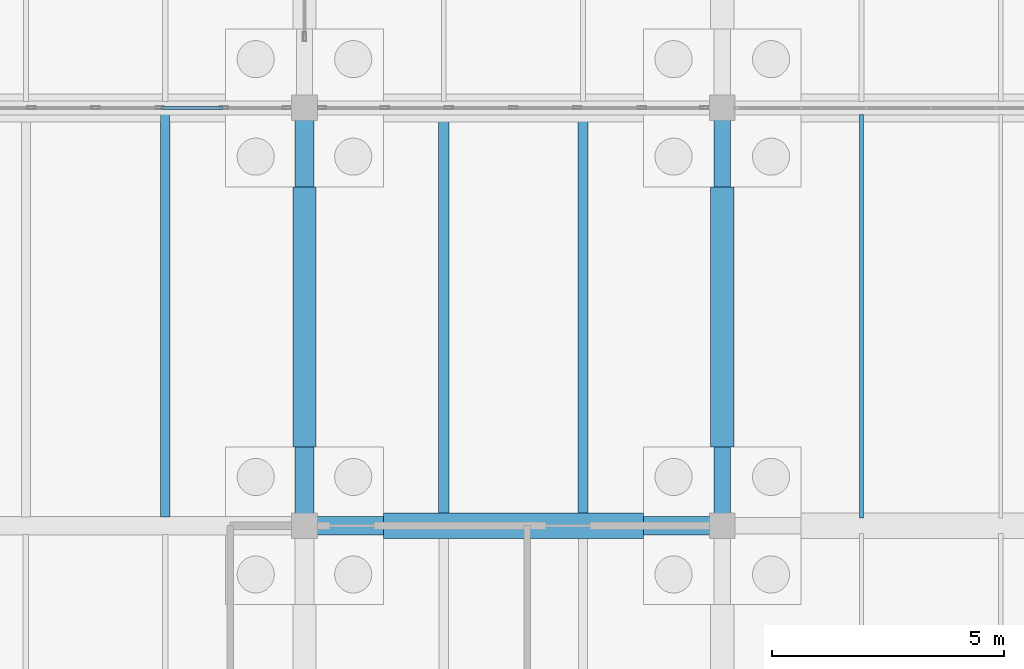
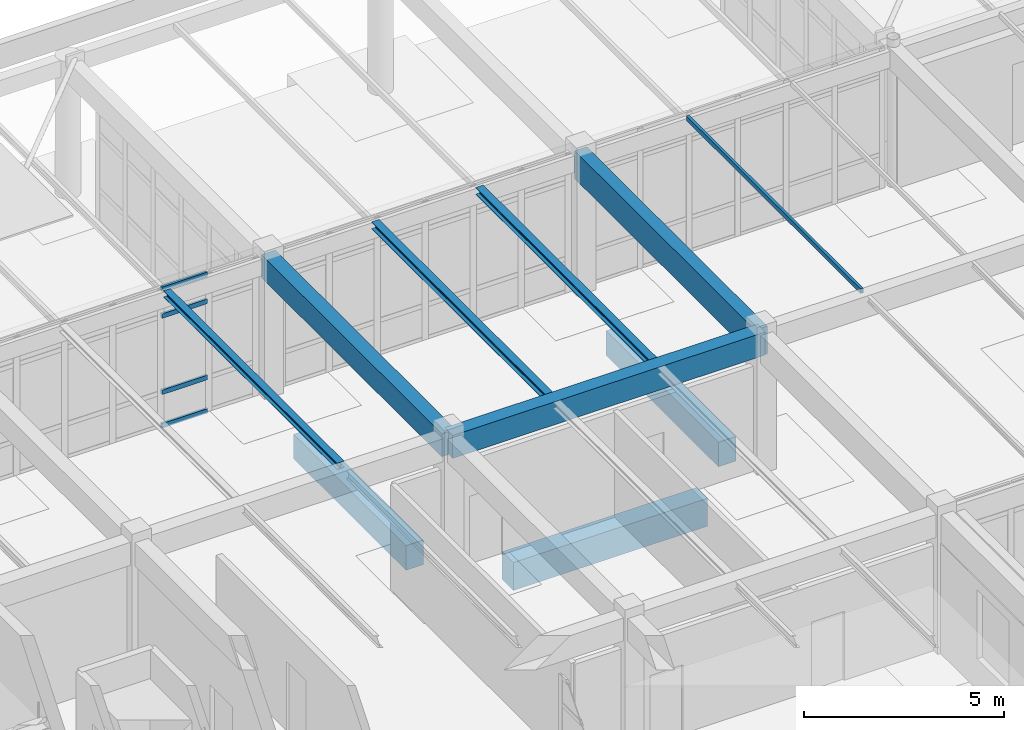
# One storey, part 66 of 186: 10 beams, 4 members, 1 element without a shape of its own.
"""IFC4 building model written with IfcOpenShell, lengths in metres."""

from ifc_helpers import new_model, si_unit, direction, frame, origin, origin_2d, place, context, subcontext, project, spatial, rectangle, hollow_rectangle, i_section, extrude, material, layer, layer_set, material_profile, profile_set, type_object, element, aggregate, save


model = new_model("IFC4")

# Units and contexts
model_context = context("Model", 3, precision=1e-05, world=origin(), true_north=direction((0.0, 1.0)))
body_context = subcontext(model_context, "Body", "Model", "MODEL_VIEW")
ifc_project = project(units=[si_unit("LENGTHUNIT", "METRE"), si_unit("AREAUNIT", "SQUARE_METRE"), si_unit("VOLUMEUNIT", "CUBIC_METRE"), si_unit("PLANEANGLEUNIT", "RADIAN"), si_unit("MASSUNIT", "GRAM", prefix="KILO")], contexts=[model_context])

# Site, building, storey
site_placement = place(None, origin())
site = spatial("IfcSite", under=ifc_project, at=site_placement, CompositionType="ELEMENT")
building_placement = place(site_placement, origin())
building = spatial("IfcBuilding", under=site, at=building_placement, Name="Ornek Quay Market", CompositionType="ELEMENT")
storey_placement = place(building_placement, origin())
storey = spatial("IfcBuildingStorey", under=building, at=storey_placement, Name="L00", CompositionType="ELEMENT", Elevation=0.0)

# Beams
ifc_material_1 = material(Name="Concrete C35/45", Category="concrete")
ifc_material_profile_1 = material_profile(ifc_material_1, rectangle(XDim=0.5, YDim=0.75, at=origin_2d()), Name="RC 500x750", Category="concrete")
ifc_profile_set_1 = profile_set([ifc_material_profile_1], Name="Concrete C35/45")
beam_type_1 = type_object("IfcBeamType", Name="BM-GB-500x750", PredefinedType="BEAM", material=ifc_profile_set_1)
for number, where, z_axis, x_axis, name in (
    (1, (18.0, 102.699951171875, -0.574951171875), (0.0, 1.0, 0.0), (-1.0, 0.0, 0.0), "Ground tie beam GB-075"),
    (2, (27.0, 102.699951171875, -0.574951171875), (0.0, 1.0, 0.0), (-1.0, 0.0, 0.0), "Ground tie beam GB-086"),
):
    element("IfcBeam", number, at=place(storey_placement, frame(where, z_axis=z_axis, x_axis=x_axis)), inside=storey, type_object=beam_type_1, Name=name, PredefinedType="BEAM", context=body_context, shape_type="SweptSolid", body=[
        extrude(rectangle(XDim=0.5, YDim=0.75, at=origin_2d()), origin(), (0.0, 0.0, 1.0), 5.60009765625),
    ])
ifc_material_profile_2 = material_profile(ifc_material_1, rectangle(XDim=0.550048828125, YDim=0.85009765625, at=origin_2d()), Name="RC 550x850", Category="concrete")
ifc_profile_set_2 = profile_set([ifc_material_profile_2], Name="Concrete C35/45")
beam_type_2 = type_object("IfcBeamType", Name="BM-GB-550x850", PredefinedType="BEAM", material=ifc_profile_set_2)
beam_1_placement = place(storey_placement, frame((19.699951171875, 101.0, -0.625), z_axis=(1.0, 0.0, 0.0), x_axis=(0.0, 1.0, 0.0)))
element("IfcBeam", 3, at=beam_1_placement, inside=storey, type_object=beam_type_2, Name="Ground tie beam GB-038", PredefinedType="BEAM", context=body_context, shape_type="SweptSolid", body=[
    extrude(rectangle(XDim=0.550048828125, YDim=0.85009765625, at=origin_2d()), origin(), (0.0, 0.0, 1.0), 5.60009765625),
])
ifc_material_2 = material(Name="Steel S355", Category="steel")
ifc_material_profile_3 = material_profile(ifc_material_2, hollow_rectangle(XDim=0.080078125, YDim=0.139892578125, WallThickness=0.006103515625, at=origin_2d()), Name="RHS 140x80x6", Category="steel")
ifc_profile_set_3 = profile_set([ifc_material_profile_3], Name="Steel S355")
beam_type_3 = type_object("IfcBeamType", Name="BM-RHS-RHS140x80x6", PredefinedType="BEAM", material=ifc_profile_set_3)
beam_2_placement = place(storey_placement, frame((30.0, 101.1669921875, 4.199951171875), z_axis=(0.0, 1.0, 0.0), x_axis=(-1.0, 0.0, 0.0)))
element("IfcBeam", 4, at=beam_2_placement, inside=storey, type_object=beam_type_3, Name="Secondary joist SR-01-001", PredefinedType="BEAM", context=body_context, shape_type="SweptSolid", body=[
    extrude(hollow_rectangle(XDim=0.080078125, YDim=0.139892578125, WallThickness=0.006103515625, at=origin_2d()), origin(), (0.0, 0.0, 1.0), 8.69091796875),
])
ifc_material_3 = material(Name="Concrete C40/50", Category="concrete")
ifc_material_profile_4 = material_profile(ifc_material_3, rectangle(XDim=0.35009765625, YDim=0.85009765625, at=origin_2d()), Name="RC 350x850", Category="concrete")
ifc_profile_set_4 = profile_set([ifc_material_profile_4], Name="Concrete C40/50")
beam_type_4 = type_object("IfcBeamType", Name="BM-SPN-350x850", PredefinedType="SPANDREL", material=ifc_profile_set_4)
beam_3_placement = place(storey_placement, frame((27.0, 101.0, 3.794921875), z_axis=(0.0, 1.0, 0.0), x_axis=(-1.0, 0.0, 0.0)))
element("IfcBeam", 5, at=beam_3_placement, inside=storey, type_object=beam_type_4, Name="Primary beam B-SP1-069", PredefinedType="SPANDREL", context=body_context, shape_type="SweptSolid", body=[
    extrude(rectangle(XDim=0.35009765625, YDim=0.85009765625, at=origin_2d()), origin(), (0.0, 0.0, 1.0), 9.0),
])
ifc_material_profile_5 = material_profile(ifc_material_2, i_section(OverallWidth=0.199951171875, OverallDepth=0.18994140625, WebThickness=0.006591796875, FlangeThickness=0.010009765625, FilletRadius=0.01806640625, at=origin_2d()), Name="HEA 200", Category="steel")
ifc_profile_set_5 = profile_set([ifc_material_profile_5], Name="Steel S355")
beam_type_5 = type_object("IfcBeamType", Name="BM-STL-HEA200", PredefinedType="BEAM", material=ifc_profile_set_5)
beam_4_placement = place(storey_placement, frame((15.0, 101.19189453125, 4.125), z_axis=(0.0, 1.0, 0.0), x_axis=(-1.0, 0.0, 0.0)))
element("IfcBeam", 6, at=beam_4_placement, inside=storey, type_object=beam_type_5, Name="Secondary joist SB-12-010", PredefinedType="BEAM", context=body_context, shape_type="SweptSolid", body=[
    extrude(i_section(OverallWidth=0.199951171875, OverallDepth=0.18994140625, WebThickness=0.006591796875, FlangeThickness=0.010009765625, FilletRadius=0.01806640625, at=origin_2d()), origin(), (0.0, 0.0, 1.0), 8.666015625),
])
ifc_material_profile_6 = material_profile(ifc_material_2, i_section(OverallWidth=0.219970703125, OverallDepth=0.2099609375, WebThickness=0.007080078125, FlangeThickness=0.010986328125, FilletRadius=0.01806640625, at=origin_2d()), Name="HEA 220", Category="steel")
ifc_profile_set_6 = profile_set([ifc_material_profile_6], Name="Steel S355")
beam_type_6 = type_object("IfcBeamType", Name="BM-STL-HEA220", PredefinedType="BEAM", material=ifc_profile_set_6)
for number, where, z_axis, x_axis, name in (
    (7, (21.0, 101.19189453125, 4.114990234375), (0.0, 1.0, 0.0), (-1.0, 0.0, 0.0), "Secondary joist SB-13-013"),
    (8, (24.0, 101.19189453125, 4.114990234375), (0.0, 1.0, 0.0), (-1.0, 0.0, 0.0), "Secondary joist SB-13-014"),
):
    element("IfcBeam", number, at=place(storey_placement, frame(where, z_axis=z_axis, x_axis=x_axis)), inside=storey, type_object=beam_type_6, Name=name, PredefinedType="BEAM", context=body_context, shape_type="SweptSolid", body=[
        extrude(i_section(OverallWidth=0.219970703125, OverallDepth=0.2099609375, WebThickness=0.007080078125, FlangeThickness=0.010986328125, FilletRadius=0.01806640625, at=origin_2d()), origin(), (0.0, 0.0, 1.0), 8.666015625),
    ])
ifc_material_profile_7 = material_profile(ifc_material_1, rectangle(XDim=0.39990234375, YDim=0.699951171875, at=origin_2d()), Name="RC 400x700", Category="concrete")
ifc_profile_set_7 = profile_set([ifc_material_profile_7], Name="Concrete C35/45")
beam_type_7 = type_object("IfcBeamType", Name="BM-WW-400x700", PredefinedType="BEAM", material=ifc_profile_set_7)
for number, where, z_axis, x_axis, name in (
    (9, (18.0, 101.0, 3.8701171875), (1.0, 0.0, 0.0), (0.0, 1.0, 0.0), "Primary beam B-WW1-027"),
    (10, (18.0, 101.0, 3.8701171875), (0.0, 1.0, 0.0), (-1.0, 0.0, 0.0), "Primary beam B-WW1-047"),
):
    element("IfcBeam", number, at=place(storey_placement, frame(where, z_axis=z_axis, x_axis=x_axis)), inside=storey, type_object=beam_type_7, Name=name, PredefinedType="BEAM", context=body_context, shape_type="SweptSolid", body=[
        extrude(rectangle(XDim=0.39990234375, YDim=0.699951171875, at=origin_2d()), origin(), (0.0, 0.0, 1.0), 9.0),
    ])

# Curtain wall, members
ifc_material_4 = material(Name="Anodised bronze aluminium and triple low-e glass", Category="aluminium")
ifc_layer = layer(ifc_material_4, 0.179931640625, Name="Anodised bronze aluminium and triple low-e glass", Category="aluminium")
ifc_layer_set = layer_set([ifc_layer], Name="Anodised bronze aluminium and triple low-e glass")
curtain_wall_type = type_object("IfcCurtainWallType", Name="CW-CONC-MOD1500", PredefinedType="USERDEFINED", material=ifc_layer_set)
curtain_wall_placement = place(storey_placement, origin())
curtain_wall = element("IfcCurtainWall", 11, at=curtain_wall_placement, inside=storey, type_object=curtain_wall_type, Name="Curtain wall CW-001", ObjectType="CURTAIN WALL", PredefinedType="USERDEFINED")
ifc_material_5 = material(Name="Anodised aluminium 6063-T6", Category="aluminium")
ifc_material_profile_8 = material_profile(ifc_material_5, hollow_rectangle(XDim=0.06494140625, YDim=0.139892578125, WallThickness=0.00439453125, at=origin_2d()), Name="CW-TRN-65x140", Category="aluminium")
ifc_profile_set_8 = profile_set([ifc_material_profile_8], Name="Anodised aluminium 6063-T6")
member_type = type_object("IfcMemberType", Name="CW-TRN-65x140", PredefinedType="USERDEFINED", material=ifc_profile_set_8)
member_1_placement = place(storey_placement, frame((14.915771484375, 110.0, 0.032470703125), z_axis=(1.0, 0.0, 0.0), x_axis=(0.0, 1.0, 0.0)))
member_1 = element("IfcMember", 12, at=member_1_placement, type_object=member_type, Name="CW-001 transom 5.1", ObjectType="TRANSOM", PredefinedType="USERDEFINED", context=body_context, shape_type="SweptSolid", body=[
    extrude(hollow_rectangle(XDim=0.06494140625, YDim=0.139892578125, WallThickness=0.00439453125, at=origin_2d()), origin(), (0.0, 0.0, 1.0), 1.318359375),
])
member_2_placement = place(storey_placement, frame((14.915771484375, 110.0, 1.050048828125), z_axis=(1.0, 0.0, 0.0), x_axis=(0.0, 1.0, 0.0)))
member_2 = element("IfcMember", 13, at=member_2_placement, type_object=member_type, Name="CW-001 transom 5.2", ObjectType="TRANSOM", PredefinedType="USERDEFINED", context=body_context, shape_type="SweptSolid", body=[
    extrude(hollow_rectangle(XDim=0.06494140625, YDim=0.139892578125, WallThickness=0.00439453125, at=origin_2d()), origin(), (0.0, 0.0, 1.0), 1.318359375),
])
member_3_placement = place(storey_placement, frame((14.915771484375, 110.0, 3.3701171875), z_axis=(1.0, 0.0, 0.0), x_axis=(0.0, 1.0, 0.0)))
member_3 = element("IfcMember", 14, at=member_3_placement, type_object=member_type, Name="CW-001 transom 5.3", ObjectType="TRANSOM", PredefinedType="USERDEFINED", context=body_context, shape_type="SweptSolid", body=[
    extrude(hollow_rectangle(XDim=0.06494140625, YDim=0.139892578125, WallThickness=0.00439453125, at=origin_2d()), origin(), (0.0, 0.0, 1.0), 1.318359375),
])
member_4_placement = place(storey_placement, frame((14.915771484375, 110.0, 4.1875), z_axis=(1.0, 0.0, 0.0), x_axis=(0.0, 1.0, 0.0)))
member_4 = element("IfcMember", 15, at=member_4_placement, type_object=member_type, Name="CW-001 transom 5.4", ObjectType="TRANSOM", PredefinedType="USERDEFINED", context=body_context, shape_type="SweptSolid", body=[
    extrude(hollow_rectangle(XDim=0.06494140625, YDim=0.139892578125, WallThickness=0.00439453125, at=origin_2d()), origin(), (0.0, 0.0, 1.0), 1.318359375),
])
aggregate(curtain_wall, [member_1, member_2, member_3, member_4])

save(model, "model.ifc")
